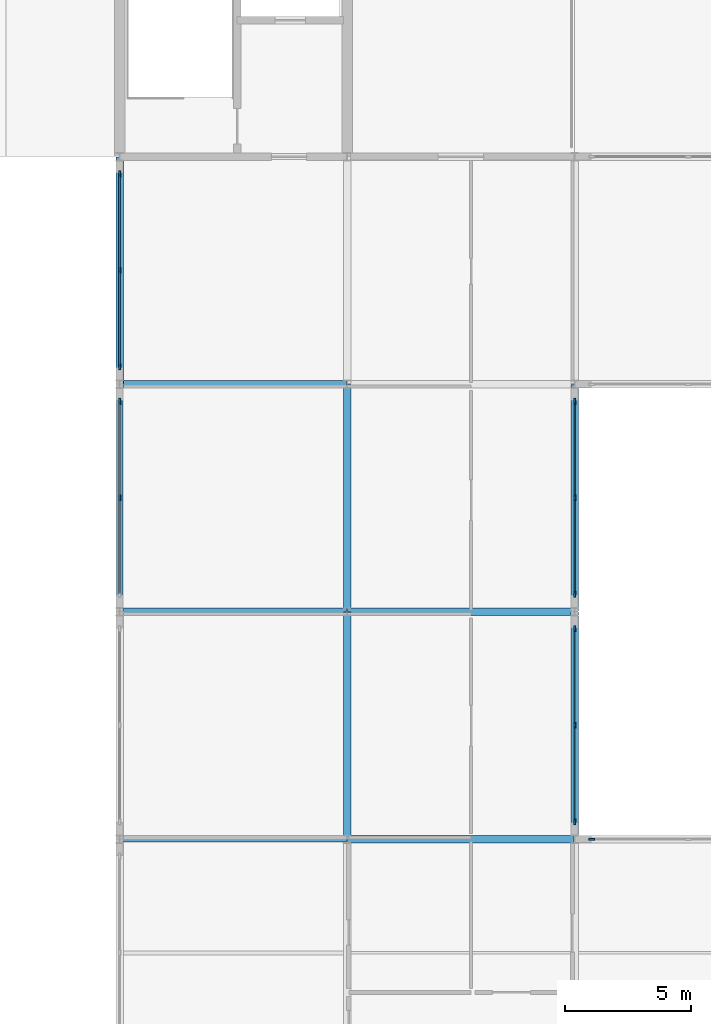
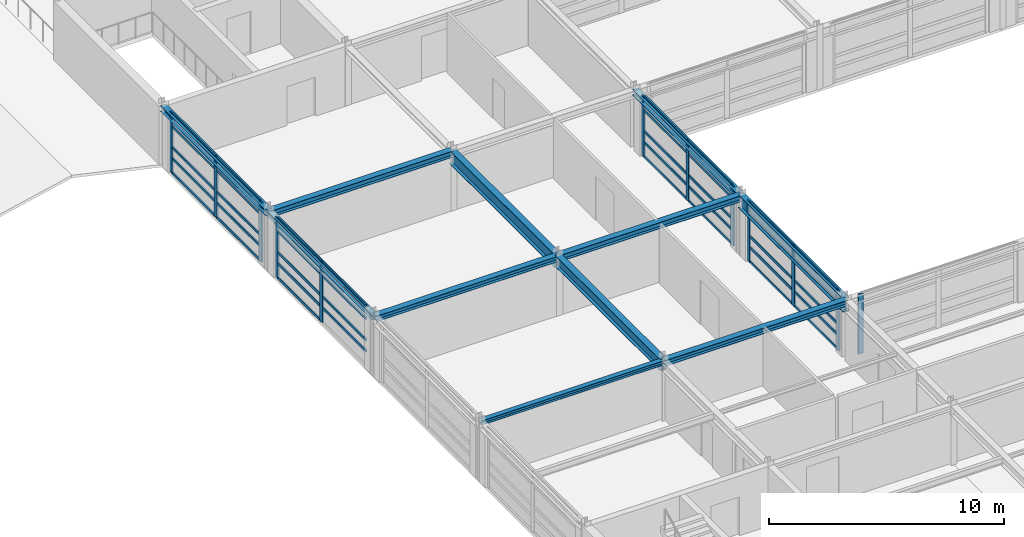
# One storey, part 21 of 91: 51 members, 11 beams, 5 elements without a shape of their own.
"""IFC4 building model written with IfcOpenShell, lengths in metres."""

from ifc_helpers import new_model, si_unit, direction, frame, origin, origin_2d, place, context, subcontext, project, spatial, rectangle, i_section, extrude, material, material_profile, profile_set, type_object, element, aggregate, save


model = new_model("IFC4")

# Units and contexts
model_context = context("Model", 3, precision=1e-05, world=origin(), true_north=direction((0.0, 1.0)))
body_context = subcontext(model_context, "Body", "Model", "MODEL_VIEW")
ifc_project = project(units=[si_unit("LENGTHUNIT", "METRE"), si_unit("AREAUNIT", "SQUARE_METRE"), si_unit("VOLUMEUNIT", "CUBIC_METRE"), si_unit("PLANEANGLEUNIT", "RADIAN"), si_unit("MASSUNIT", "GRAM", prefix="KILO")], contexts=[model_context])

# Site, building, storey
site_placement = place(None, origin())
site = spatial("IfcSite", under=ifc_project, at=site_placement, CompositionType="ELEMENT")
building_placement = place(site_placement, origin())
building = spatial("IfcBuilding", under=site, at=building_placement, Name="Palais des Congres Ocreval", CompositionType="ELEMENT")
storey_placement = place(building_placement, frame((0.0, 0.0, 8.159912109375)))
storey = spatial("IfcBuildingStorey", under=building, at=storey_placement, Name="L02", CompositionType="ELEMENT", Elevation=8.159912109375)

# Curtain wall, members
ifc_material_1 = material(Name="Anodized bronze aluminium and low-E glass", Category="glass")
curtain_wall_type = type_object("IfcCurtainWallType", Name="Unitised Curtain Wall 7900x3120", PredefinedType="USERDEFINED", material=ifc_material_1)
curtain_wall_1_placement = place(storey_placement, origin())
curtain_wall_1 = element("IfcCurtainWall", 1, at=curtain_wall_1_placement, inside=storey, type_object=curtain_wall_type, Name="Unitised Curtain Wall CW03 L02", ObjectType="UNITISED CURTAIN WALL", PredefinedType="USERDEFINED")
ifc_material_2 = material(Name="Anodized bronze aluminium", Category="aluminium")
ifc_material_profile_1 = material_profile(ifc_material_2, rectangle(XDim=0.074951171875, YDim=0.239990234375, at=origin_2d()), Name="ALU 75x240")
ifc_profile_set_1 = profile_set([ifc_material_profile_1], Name="Anodized bronze aluminium")
member_type_1 = type_object("IfcMemberType", Name="Curtain Wall Mullion ALU 75x240", PredefinedType="MULLION", material=ifc_profile_set_1)
member_1_placement = place(storey_placement, frame((108.0, 31.5, 0.0), z_axis=(0.0, 0.0, 1.0), x_axis=(-1.0, 0.0, 0.0)))
member_1 = element("IfcMember", 2, at=member_1_placement, type_object=member_type_1, Name="Curtain Wall Mullion ML01", PredefinedType="MULLION", context=body_context, shape_type="SweptSolid", body=[
    extrude(rectangle(XDim=0.074951171875, YDim=0.239990234375, at=origin_2d()), origin(), (0.0, 0.0, 1.0), 3.110107421875),
])
member_2_placement = place(storey_placement, frame((108.0, 35.3125, 0.0), z_axis=(0.0, 0.0, 1.0), x_axis=(-1.0, 0.0, 0.0)))
member_2 = element("IfcMember", 3, at=member_2_placement, type_object=member_type_1, Name="Curtain Wall Mullion ML01", PredefinedType="MULLION", context=body_context, shape_type="SweptSolid", body=[
    extrude(rectangle(XDim=0.074951171875, YDim=0.239990234375, at=origin_2d()), origin(), (0.0, 0.0, 1.0), 3.110107421875),
])

curtain_wall_2_placement = place(storey_placement, origin())
curtain_wall_2 = element("IfcCurtainWall", 4, at=curtain_wall_2_placement, inside=storey, type_object=curtain_wall_type, Name="Unitised Curtain Wall CW03 L02", ObjectType="UNITISED CURTAIN WALL", PredefinedType="USERDEFINED")
member_3_placement = place(storey_placement, frame((108.0, 36.6875, 0.0), z_axis=(0.0, 0.0, 1.0), x_axis=(-1.0, 0.0, 0.0)))
member_3 = element("IfcMember", 5, at=member_3_placement, type_object=member_type_1, Name="Curtain Wall Mullion ML01", PredefinedType="MULLION", context=body_context, shape_type="SweptSolid", body=[
    extrude(rectangle(XDim=0.074951171875, YDim=0.239990234375, at=origin_2d()), origin(), (0.0, 0.0, 1.0), 3.110107421875),
])
member_4_placement = place(storey_placement, frame((108.0, 40.5, 0.0), z_axis=(0.0, 0.0, 1.0), x_axis=(-1.0, 0.0, 0.0)))
member_4 = element("IfcMember", 6, at=member_4_placement, type_object=member_type_1, Name="Curtain Wall Mullion ML01", PredefinedType="MULLION", context=body_context, shape_type="SweptSolid", body=[
    extrude(rectangle(XDim=0.074951171875, YDim=0.239990234375, at=origin_2d()), origin(), (0.0, 0.0, 1.0), 3.110107421875),
])
member_5_placement = place(storey_placement, frame((108.0, 44.3125, 0.0), z_axis=(0.0, 0.0, 1.0), x_axis=(-1.0, 0.0, 0.0)))
member_5 = element("IfcMember", 7, at=member_5_placement, type_object=member_type_1, Name="Curtain Wall Mullion ML01", PredefinedType="MULLION", context=body_context, shape_type="SweptSolid", body=[
    extrude(rectangle(XDim=0.074951171875, YDim=0.239990234375, at=origin_2d()), origin(), (0.0, 0.0, 1.0), 3.110107421875),
])

curtain_wall_3_placement = place(storey_placement, origin())
curtain_wall_3 = element("IfcCurtainWall", 8, at=curtain_wall_3_placement, inside=storey, type_object=curtain_wall_type, Name="Unitised Curtain Wall CW03 L02", ObjectType="UNITISED CURTAIN WALL", PredefinedType="USERDEFINED")
member_6_placement = place(storey_placement, frame((126.0, 35.3125, 0.0), z_axis=(0.0, 0.0, 1.0), x_axis=(1.0, 0.0, 0.0)))
member_6 = element("IfcMember", 9, at=member_6_placement, type_object=member_type_1, Name="Curtain Wall Mullion ML01", PredefinedType="MULLION", context=body_context, shape_type="SweptSolid", body=[
    extrude(rectangle(XDim=0.074951171875, YDim=0.239990234375, at=origin_2d()), origin(), (0.0, 0.0, 1.0), 3.110107421875),
])
member_7_placement = place(storey_placement, frame((126.0, 31.5, 0.0), z_axis=(0.0, 0.0, 1.0), x_axis=(1.0, 0.0, 0.0)))
member_7 = element("IfcMember", 10, at=member_7_placement, type_object=member_type_1, Name="Curtain Wall Mullion ML01", PredefinedType="MULLION", context=body_context, shape_type="SweptSolid", body=[
    extrude(rectangle(XDim=0.074951171875, YDim=0.239990234375, at=origin_2d()), origin(), (0.0, 0.0, 1.0), 3.110107421875),
])
member_8_placement = place(storey_placement, frame((126.0, 27.6875, 0.0), z_axis=(0.0, 0.0, 1.0), x_axis=(1.0, 0.0, 0.0)))
member_8 = element("IfcMember", 11, at=member_8_placement, type_object=member_type_1, Name="Curtain Wall Mullion ML01", PredefinedType="MULLION", context=body_context, shape_type="SweptSolid", body=[
    extrude(rectangle(XDim=0.074951171875, YDim=0.239990234375, at=origin_2d()), origin(), (0.0, 0.0, 1.0), 3.110107421875),
])

curtain_wall_4_placement = place(storey_placement, origin())
curtain_wall_4 = element("IfcCurtainWall", 12, at=curtain_wall_4_placement, inside=storey, type_object=curtain_wall_type, Name="Unitised Curtain Wall CW03 L02", ObjectType="UNITISED CURTAIN WALL", PredefinedType="USERDEFINED")
member_9_placement = place(storey_placement, frame((126.0, 26.3125, 0.0), z_axis=(0.0, 0.0, 1.0), x_axis=(1.0, 0.0, 0.0)))
member_9 = element("IfcMember", 13, at=member_9_placement, type_object=member_type_1, Name="Curtain Wall Mullion ML01", PredefinedType="MULLION", context=body_context, shape_type="SweptSolid", body=[
    extrude(rectangle(XDim=0.074951171875, YDim=0.239990234375, at=origin_2d()), origin(), (0.0, 0.0, 1.0), 3.110107421875),
])
member_10_placement = place(storey_placement, frame((126.0, 22.5, 0.0), z_axis=(0.0, 0.0, 1.0), x_axis=(1.0, 0.0, 0.0)))
member_10 = element("IfcMember", 14, at=member_10_placement, type_object=member_type_1, Name="Curtain Wall Mullion ML01", PredefinedType="MULLION", context=body_context, shape_type="SweptSolid", body=[
    extrude(rectangle(XDim=0.074951171875, YDim=0.239990234375, at=origin_2d()), origin(), (0.0, 0.0, 1.0), 3.110107421875),
])
member_11_placement = place(storey_placement, frame((126.0, 18.6875, 0.0), z_axis=(0.0, 0.0, 1.0), x_axis=(1.0, 0.0, 0.0)))
member_11 = element("IfcMember", 15, at=member_11_placement, type_object=member_type_1, Name="Curtain Wall Mullion ML01", PredefinedType="MULLION", context=body_context, shape_type="SweptSolid", body=[
    extrude(rectangle(XDim=0.074951171875, YDim=0.239990234375, at=origin_2d()), origin(), (0.0, 0.0, 1.0), 3.110107421875),
])

# Curtain wall, member
curtain_wall_5_placement = place(storey_placement, origin())
curtain_wall_5 = element("IfcCurtainWall", 16, at=curtain_wall_5_placement, inside=storey, type_object=curtain_wall_type, Name="Unitised Curtain Wall CW03 L02", ObjectType="UNITISED CURTAIN WALL", PredefinedType="USERDEFINED")
member_12_placement = place(storey_placement, frame((126.6875, 18.0, 0.0), z_axis=(0.0, 0.0, 1.0), x_axis=(0.0, 1.0, 0.0)))
member_12 = element("IfcMember", 17, at=member_12_placement, type_object=member_type_1, Name="Curtain Wall Mullion ML01", PredefinedType="MULLION", context=body_context, shape_type="SweptSolid", body=[
    extrude(rectangle(XDim=0.074951171875, YDim=0.239990234375, at=origin_2d()), origin(), (0.0, 0.0, 1.0), 3.110107421875),
])
aggregate(curtain_wall_5, [member_12])

# Member
ifc_material_profile_2 = material_profile(ifc_material_2, rectangle(XDim=0.06005859375, YDim=0.14990234375, at=origin_2d()), Name="ALU 60x150")
ifc_profile_set_2 = profile_set([ifc_material_profile_2], Name="Anodized bronze aluminium")
member_type_2 = type_object("IfcMemberType", Name="Curtain Wall Transom ALU 60x150", PredefinedType="USERDEFINED", material=ifc_profile_set_2)
member_13_placement = place(storey_placement, frame((108.0, 27.72509765625, 0.780029296875), z_axis=(0.0, 1.0, 0.0), x_axis=(-1.0, 0.0, 0.0)))
member_13 = element("IfcMember", 18, at=member_13_placement, type_object=member_type_2, Name="Curtain Wall Transom TR01", ObjectType="TRANSOM", PredefinedType="USERDEFINED", context=body_context, shape_type="SweptSolid", body=[
    extrude(rectangle(XDim=0.06005859375, YDim=0.14990234375, at=origin_2d()), origin(), (0.0, 0.0, 1.0), 3.7373046875),
])

member_14_placement = place(storey_placement, frame((108.0, 27.72509765625, 1.35302734375), z_axis=(0.0, 1.0, 0.0), x_axis=(-1.0, 0.0, 0.0)))
member_14 = element("IfcMember", 19, at=member_14_placement, type_object=member_type_2, Name="Curtain Wall Transom TR01", ObjectType="TRANSOM", PredefinedType="USERDEFINED", context=body_context, shape_type="SweptSolid", body=[
    extrude(rectangle(XDim=0.06005859375, YDim=0.14990234375, at=origin_2d()), origin(), (0.0, 0.0, 1.0), 3.7373046875),
])

member_15_placement = place(storey_placement, frame((108.0, 27.72509765625, 2.460205078125), z_axis=(0.0, 1.0, 0.0), x_axis=(-1.0, 0.0, 0.0)))
member_15 = element("IfcMember", 20, at=member_15_placement, type_object=member_type_2, Name="Curtain Wall Transom TR01", ObjectType="TRANSOM", PredefinedType="USERDEFINED", context=body_context, shape_type="SweptSolid", body=[
    extrude(rectangle(XDim=0.06005859375, YDim=0.14990234375, at=origin_2d()), origin(), (0.0, 0.0, 1.0), 3.7373046875),
])

member_16_placement = place(storey_placement, frame((108.0, 27.72509765625, 3.080078125), z_axis=(0.0, 1.0, 0.0), x_axis=(-1.0, 0.0, 0.0)))
member_16 = element("IfcMember", 21, at=member_16_placement, type_object=member_type_2, Name="Curtain Wall Transom TR01", ObjectType="TRANSOM", PredefinedType="USERDEFINED", context=body_context, shape_type="SweptSolid", body=[
    extrude(rectangle(XDim=0.06005859375, YDim=0.14990234375, at=origin_2d()), origin(), (0.0, 0.0, 1.0), 3.7373046875),
])

member_17_placement = place(storey_placement, frame((108.0, 31.53759765625, 0.030029296875), z_axis=(0.0, 1.0, 0.0), x_axis=(-1.0, 0.0, 0.0)))
member_17 = element("IfcMember", 22, at=member_17_placement, type_object=member_type_2, Name="Curtain Wall Transom TR01", ObjectType="TRANSOM", PredefinedType="USERDEFINED", context=body_context, shape_type="SweptSolid", body=[
    extrude(rectangle(XDim=0.06005859375, YDim=0.14990234375, at=origin_2d()), origin(), (0.0, 0.0, 1.0), 3.7373046875),
])

member_18_placement = place(storey_placement, frame((108.0, 31.53759765625, 0.780029296875), z_axis=(0.0, 1.0, 0.0), x_axis=(-1.0, 0.0, 0.0)))
member_18 = element("IfcMember", 23, at=member_18_placement, type_object=member_type_2, Name="Curtain Wall Transom TR01", ObjectType="TRANSOM", PredefinedType="USERDEFINED", context=body_context, shape_type="SweptSolid", body=[
    extrude(rectangle(XDim=0.06005859375, YDim=0.14990234375, at=origin_2d()), origin(), (0.0, 0.0, 1.0), 3.7373046875),
])

member_19_placement = place(storey_placement, frame((108.0, 31.53759765625, 1.35302734375), z_axis=(0.0, 1.0, 0.0), x_axis=(-1.0, 0.0, 0.0)))
member_19 = element("IfcMember", 24, at=member_19_placement, type_object=member_type_2, Name="Curtain Wall Transom TR01", ObjectType="TRANSOM", PredefinedType="USERDEFINED", context=body_context, shape_type="SweptSolid", body=[
    extrude(rectangle(XDim=0.06005859375, YDim=0.14990234375, at=origin_2d()), origin(), (0.0, 0.0, 1.0), 3.7373046875),
])

member_20_placement = place(storey_placement, frame((108.0, 31.53759765625, 2.460205078125), z_axis=(0.0, 1.0, 0.0), x_axis=(-1.0, 0.0, 0.0)))
member_20 = element("IfcMember", 25, at=member_20_placement, type_object=member_type_2, Name="Curtain Wall Transom TR01", ObjectType="TRANSOM", PredefinedType="USERDEFINED", context=body_context, shape_type="SweptSolid", body=[
    extrude(rectangle(XDim=0.06005859375, YDim=0.14990234375, at=origin_2d()), origin(), (0.0, 0.0, 1.0), 3.7373046875),
])

member_21_placement = place(storey_placement, frame((108.0, 31.53759765625, 3.080078125), z_axis=(0.0, 1.0, 0.0), x_axis=(-1.0, 0.0, 0.0)))
member_21 = element("IfcMember", 26, at=member_21_placement, type_object=member_type_2, Name="Curtain Wall Transom TR01", ObjectType="TRANSOM", PredefinedType="USERDEFINED", context=body_context, shape_type="SweptSolid", body=[
    extrude(rectangle(XDim=0.06005859375, YDim=0.14990234375, at=origin_2d()), origin(), (0.0, 0.0, 1.0), 3.7373046875),
])

aggregate(curtain_wall_1, [member_1, member_2, member_13, member_14, member_15, member_16, member_17, member_18, member_19, member_20, member_21])

member_22_placement = place(storey_placement, frame((108.0, 36.72509765625, 0.030029296875), z_axis=(0.0, 1.0, 0.0), x_axis=(-1.0, 0.0, 0.0)))
member_22 = element("IfcMember", 27, at=member_22_placement, type_object=member_type_2, Name="Curtain Wall Transom TR01", ObjectType="TRANSOM", PredefinedType="USERDEFINED", context=body_context, shape_type="SweptSolid", body=[
    extrude(rectangle(XDim=0.06005859375, YDim=0.14990234375, at=origin_2d()), origin(), (0.0, 0.0, 1.0), 3.7373046875),
])

member_23_placement = place(storey_placement, frame((108.0, 36.72509765625, 0.780029296875), z_axis=(0.0, 1.0, 0.0), x_axis=(-1.0, 0.0, 0.0)))
member_23 = element("IfcMember", 28, at=member_23_placement, type_object=member_type_2, Name="Curtain Wall Transom TR01", ObjectType="TRANSOM", PredefinedType="USERDEFINED", context=body_context, shape_type="SweptSolid", body=[
    extrude(rectangle(XDim=0.06005859375, YDim=0.14990234375, at=origin_2d()), origin(), (0.0, 0.0, 1.0), 3.7373046875),
])

member_24_placement = place(storey_placement, frame((108.0, 36.72509765625, 1.35302734375), z_axis=(0.0, 1.0, 0.0), x_axis=(-1.0, 0.0, 0.0)))
member_24 = element("IfcMember", 29, at=member_24_placement, type_object=member_type_2, Name="Curtain Wall Transom TR01", ObjectType="TRANSOM", PredefinedType="USERDEFINED", context=body_context, shape_type="SweptSolid", body=[
    extrude(rectangle(XDim=0.06005859375, YDim=0.14990234375, at=origin_2d()), origin(), (0.0, 0.0, 1.0), 3.7373046875),
])

member_25_placement = place(storey_placement, frame((108.0, 36.72509765625, 2.460205078125), z_axis=(0.0, 1.0, 0.0), x_axis=(-1.0, 0.0, 0.0)))
member_25 = element("IfcMember", 30, at=member_25_placement, type_object=member_type_2, Name="Curtain Wall Transom TR01", ObjectType="TRANSOM", PredefinedType="USERDEFINED", context=body_context, shape_type="SweptSolid", body=[
    extrude(rectangle(XDim=0.06005859375, YDim=0.14990234375, at=origin_2d()), origin(), (0.0, 0.0, 1.0), 3.7373046875),
])

member_26_placement = place(storey_placement, frame((108.0, 36.72509765625, 3.080078125), z_axis=(0.0, 1.0, 0.0), x_axis=(-1.0, 0.0, 0.0)))
member_26 = element("IfcMember", 31, at=member_26_placement, type_object=member_type_2, Name="Curtain Wall Transom TR01", ObjectType="TRANSOM", PredefinedType="USERDEFINED", context=body_context, shape_type="SweptSolid", body=[
    extrude(rectangle(XDim=0.06005859375, YDim=0.14990234375, at=origin_2d()), origin(), (0.0, 0.0, 1.0), 3.7373046875),
])

member_27_placement = place(storey_placement, frame((108.0, 40.53759765625, 0.030029296875), z_axis=(0.0, 1.0, 0.0), x_axis=(-1.0, 0.0, 0.0)))
member_27 = element("IfcMember", 32, at=member_27_placement, type_object=member_type_2, Name="Curtain Wall Transom TR01", ObjectType="TRANSOM", PredefinedType="USERDEFINED", context=body_context, shape_type="SweptSolid", body=[
    extrude(rectangle(XDim=0.06005859375, YDim=0.14990234375, at=origin_2d()), origin(), (0.0, 0.0, 1.0), 3.7373046875),
])

member_28_placement = place(storey_placement, frame((108.0, 40.53759765625, 0.780029296875), z_axis=(0.0, 1.0, 0.0), x_axis=(-1.0, 0.0, 0.0)))
member_28 = element("IfcMember", 33, at=member_28_placement, type_object=member_type_2, Name="Curtain Wall Transom TR01", ObjectType="TRANSOM", PredefinedType="USERDEFINED", context=body_context, shape_type="SweptSolid", body=[
    extrude(rectangle(XDim=0.06005859375, YDim=0.14990234375, at=origin_2d()), origin(), (0.0, 0.0, 1.0), 3.7373046875),
])

member_29_placement = place(storey_placement, frame((108.0, 40.53759765625, 1.35302734375), z_axis=(0.0, 1.0, 0.0), x_axis=(-1.0, 0.0, 0.0)))
member_29 = element("IfcMember", 34, at=member_29_placement, type_object=member_type_2, Name="Curtain Wall Transom TR01", ObjectType="TRANSOM", PredefinedType="USERDEFINED", context=body_context, shape_type="SweptSolid", body=[
    extrude(rectangle(XDim=0.06005859375, YDim=0.14990234375, at=origin_2d()), origin(), (0.0, 0.0, 1.0), 3.7373046875),
])

member_30_placement = place(storey_placement, frame((108.0, 40.53759765625, 2.460205078125), z_axis=(0.0, 1.0, 0.0), x_axis=(-1.0, 0.0, 0.0)))
member_30 = element("IfcMember", 35, at=member_30_placement, type_object=member_type_2, Name="Curtain Wall Transom TR01", ObjectType="TRANSOM", PredefinedType="USERDEFINED", context=body_context, shape_type="SweptSolid", body=[
    extrude(rectangle(XDim=0.06005859375, YDim=0.14990234375, at=origin_2d()), origin(), (0.0, 0.0, 1.0), 3.7373046875),
])

member_31_placement = place(storey_placement, frame((108.0, 40.53759765625, 3.080078125), z_axis=(0.0, 1.0, 0.0), x_axis=(-1.0, 0.0, 0.0)))
member_31 = element("IfcMember", 36, at=member_31_placement, type_object=member_type_2, Name="Curtain Wall Transom TR01", ObjectType="TRANSOM", PredefinedType="USERDEFINED", context=body_context, shape_type="SweptSolid", body=[
    extrude(rectangle(XDim=0.06005859375, YDim=0.14990234375, at=origin_2d()), origin(), (0.0, 0.0, 1.0), 3.7373046875),
])

aggregate(curtain_wall_2, [member_3, member_4, member_5, member_22, member_23, member_24, member_25, member_26, member_27, member_28, member_29, member_30, member_31])

member_32_placement = place(storey_placement, frame((126.0, 35.27490234375, 0.030029296875), z_axis=(0.0, -1.0, 0.0), x_axis=(1.0, 0.0, 0.0)))
member_32 = element("IfcMember", 37, at=member_32_placement, type_object=member_type_2, Name="Curtain Wall Transom TR01", ObjectType="TRANSOM", PredefinedType="USERDEFINED", context=body_context, shape_type="SweptSolid", body=[
    extrude(rectangle(XDim=0.06005859375, YDim=0.14990234375, at=origin_2d()), origin(), (0.0, 0.0, 1.0), 3.7373046875),
])

member_33_placement = place(storey_placement, frame((126.0, 35.27490234375, 0.780029296875), z_axis=(0.0, -1.0, 0.0), x_axis=(1.0, 0.0, 0.0)))
member_33 = element("IfcMember", 38, at=member_33_placement, type_object=member_type_2, Name="Curtain Wall Transom TR01", ObjectType="TRANSOM", PredefinedType="USERDEFINED", context=body_context, shape_type="SweptSolid", body=[
    extrude(rectangle(XDim=0.06005859375, YDim=0.14990234375, at=origin_2d()), origin(), (0.0, 0.0, 1.0), 3.7373046875),
])

member_34_placement = place(storey_placement, frame((126.0, 35.27490234375, 1.35302734375), z_axis=(0.0, -1.0, 0.0), x_axis=(1.0, 0.0, 0.0)))
member_34 = element("IfcMember", 39, at=member_34_placement, type_object=member_type_2, Name="Curtain Wall Transom TR01", ObjectType="TRANSOM", PredefinedType="USERDEFINED", context=body_context, shape_type="SweptSolid", body=[
    extrude(rectangle(XDim=0.06005859375, YDim=0.14990234375, at=origin_2d()), origin(), (0.0, 0.0, 1.0), 3.7373046875),
])

member_35_placement = place(storey_placement, frame((126.0, 35.27490234375, 2.460205078125), z_axis=(0.0, -1.0, 0.0), x_axis=(1.0, 0.0, 0.0)))
member_35 = element("IfcMember", 40, at=member_35_placement, type_object=member_type_2, Name="Curtain Wall Transom TR01", ObjectType="TRANSOM", PredefinedType="USERDEFINED", context=body_context, shape_type="SweptSolid", body=[
    extrude(rectangle(XDim=0.06005859375, YDim=0.14990234375, at=origin_2d()), origin(), (0.0, 0.0, 1.0), 3.7373046875),
])

member_36_placement = place(storey_placement, frame((126.0, 35.27490234375, 3.080078125), z_axis=(0.0, -1.0, 0.0), x_axis=(1.0, 0.0, 0.0)))
member_36 = element("IfcMember", 41, at=member_36_placement, type_object=member_type_2, Name="Curtain Wall Transom TR01", ObjectType="TRANSOM", PredefinedType="USERDEFINED", context=body_context, shape_type="SweptSolid", body=[
    extrude(rectangle(XDim=0.06005859375, YDim=0.14990234375, at=origin_2d()), origin(), (0.0, 0.0, 1.0), 3.7373046875),
])

member_37_placement = place(storey_placement, frame((126.0, 31.46240234375, 0.030029296875), z_axis=(0.0, -1.0, 0.0), x_axis=(1.0, 0.0, 0.0)))
member_37 = element("IfcMember", 42, at=member_37_placement, type_object=member_type_2, Name="Curtain Wall Transom TR01", ObjectType="TRANSOM", PredefinedType="USERDEFINED", context=body_context, shape_type="SweptSolid", body=[
    extrude(rectangle(XDim=0.06005859375, YDim=0.14990234375, at=origin_2d()), origin(), (0.0, 0.0, 1.0), 3.7373046875),
])

member_38_placement = place(storey_placement, frame((126.0, 31.46240234375, 0.780029296875), z_axis=(0.0, -1.0, 0.0), x_axis=(1.0, 0.0, 0.0)))
member_38 = element("IfcMember", 43, at=member_38_placement, type_object=member_type_2, Name="Curtain Wall Transom TR01", ObjectType="TRANSOM", PredefinedType="USERDEFINED", context=body_context, shape_type="SweptSolid", body=[
    extrude(rectangle(XDim=0.06005859375, YDim=0.14990234375, at=origin_2d()), origin(), (0.0, 0.0, 1.0), 3.7373046875),
])

member_39_placement = place(storey_placement, frame((126.0, 31.46240234375, 1.35302734375), z_axis=(0.0, -1.0, 0.0), x_axis=(1.0, 0.0, 0.0)))
member_39 = element("IfcMember", 44, at=member_39_placement, type_object=member_type_2, Name="Curtain Wall Transom TR01", ObjectType="TRANSOM", PredefinedType="USERDEFINED", context=body_context, shape_type="SweptSolid", body=[
    extrude(rectangle(XDim=0.06005859375, YDim=0.14990234375, at=origin_2d()), origin(), (0.0, 0.0, 1.0), 3.7373046875),
])

member_40_placement = place(storey_placement, frame((126.0, 31.46240234375, 2.460205078125), z_axis=(0.0, -1.0, 0.0), x_axis=(1.0, 0.0, 0.0)))
member_40 = element("IfcMember", 45, at=member_40_placement, type_object=member_type_2, Name="Curtain Wall Transom TR01", ObjectType="TRANSOM", PredefinedType="USERDEFINED", context=body_context, shape_type="SweptSolid", body=[
    extrude(rectangle(XDim=0.06005859375, YDim=0.14990234375, at=origin_2d()), origin(), (0.0, 0.0, 1.0), 3.7373046875),
])

member_41_placement = place(storey_placement, frame((126.0, 31.46240234375, 3.080078125), z_axis=(0.0, -1.0, 0.0), x_axis=(1.0, 0.0, 0.0)))
member_41 = element("IfcMember", 46, at=member_41_placement, type_object=member_type_2, Name="Curtain Wall Transom TR01", ObjectType="TRANSOM", PredefinedType="USERDEFINED", context=body_context, shape_type="SweptSolid", body=[
    extrude(rectangle(XDim=0.06005859375, YDim=0.14990234375, at=origin_2d()), origin(), (0.0, 0.0, 1.0), 3.7373046875),
])

aggregate(curtain_wall_3, [member_6, member_7, member_8, member_32, member_33, member_34, member_35, member_36, member_37, member_38, member_39, member_40, member_41])

member_42_placement = place(storey_placement, frame((126.0, 26.27490234375, 0.030029296875), z_axis=(0.0, -1.0, 0.0), x_axis=(1.0, 0.0, 0.0)))
member_42 = element("IfcMember", 47, at=member_42_placement, type_object=member_type_2, Name="Curtain Wall Transom TR01", ObjectType="TRANSOM", PredefinedType="USERDEFINED", context=body_context, shape_type="SweptSolid", body=[
    extrude(rectangle(XDim=0.06005859375, YDim=0.14990234375, at=origin_2d()), origin(), (0.0, 0.0, 1.0), 3.7373046875),
])

member_43_placement = place(storey_placement, frame((126.0, 26.27490234375, 0.780029296875), z_axis=(0.0, -1.0, 0.0), x_axis=(1.0, 0.0, 0.0)))
member_43 = element("IfcMember", 48, at=member_43_placement, type_object=member_type_2, Name="Curtain Wall Transom TR01", ObjectType="TRANSOM", PredefinedType="USERDEFINED", context=body_context, shape_type="SweptSolid", body=[
    extrude(rectangle(XDim=0.06005859375, YDim=0.14990234375, at=origin_2d()), origin(), (0.0, 0.0, 1.0), 3.7373046875),
])

member_44_placement = place(storey_placement, frame((126.0, 26.27490234375, 1.35302734375), z_axis=(0.0, -1.0, 0.0), x_axis=(1.0, 0.0, 0.0)))
member_44 = element("IfcMember", 49, at=member_44_placement, type_object=member_type_2, Name="Curtain Wall Transom TR01", ObjectType="TRANSOM", PredefinedType="USERDEFINED", context=body_context, shape_type="SweptSolid", body=[
    extrude(rectangle(XDim=0.06005859375, YDim=0.14990234375, at=origin_2d()), origin(), (0.0, 0.0, 1.0), 3.7373046875),
])

member_45_placement = place(storey_placement, frame((126.0, 26.27490234375, 2.460205078125), z_axis=(0.0, -1.0, 0.0), x_axis=(1.0, 0.0, 0.0)))
member_45 = element("IfcMember", 50, at=member_45_placement, type_object=member_type_2, Name="Curtain Wall Transom TR01", ObjectType="TRANSOM", PredefinedType="USERDEFINED", context=body_context, shape_type="SweptSolid", body=[
    extrude(rectangle(XDim=0.06005859375, YDim=0.14990234375, at=origin_2d()), origin(), (0.0, 0.0, 1.0), 3.7373046875),
])

member_46_placement = place(storey_placement, frame((126.0, 26.27490234375, 3.080078125), z_axis=(0.0, -1.0, 0.0), x_axis=(1.0, 0.0, 0.0)))
member_46 = element("IfcMember", 51, at=member_46_placement, type_object=member_type_2, Name="Curtain Wall Transom TR01", ObjectType="TRANSOM", PredefinedType="USERDEFINED", context=body_context, shape_type="SweptSolid", body=[
    extrude(rectangle(XDim=0.06005859375, YDim=0.14990234375, at=origin_2d()), origin(), (0.0, 0.0, 1.0), 3.7373046875),
])

member_47_placement = place(storey_placement, frame((126.0, 22.46240234375, 0.030029296875), z_axis=(0.0, -1.0, 0.0), x_axis=(1.0, 0.0, 0.0)))
member_47 = element("IfcMember", 52, at=member_47_placement, type_object=member_type_2, Name="Curtain Wall Transom TR01", ObjectType="TRANSOM", PredefinedType="USERDEFINED", context=body_context, shape_type="SweptSolid", body=[
    extrude(rectangle(XDim=0.06005859375, YDim=0.14990234375, at=origin_2d()), origin(), (0.0, 0.0, 1.0), 3.7373046875),
])

member_48_placement = place(storey_placement, frame((126.0, 22.46240234375, 0.780029296875), z_axis=(0.0, -1.0, 0.0), x_axis=(1.0, 0.0, 0.0)))
member_48 = element("IfcMember", 53, at=member_48_placement, type_object=member_type_2, Name="Curtain Wall Transom TR01", ObjectType="TRANSOM", PredefinedType="USERDEFINED", context=body_context, shape_type="SweptSolid", body=[
    extrude(rectangle(XDim=0.06005859375, YDim=0.14990234375, at=origin_2d()), origin(), (0.0, 0.0, 1.0), 3.7373046875),
])

member_49_placement = place(storey_placement, frame((126.0, 22.46240234375, 1.35302734375), z_axis=(0.0, -1.0, 0.0), x_axis=(1.0, 0.0, 0.0)))
member_49 = element("IfcMember", 54, at=member_49_placement, type_object=member_type_2, Name="Curtain Wall Transom TR01", ObjectType="TRANSOM", PredefinedType="USERDEFINED", context=body_context, shape_type="SweptSolid", body=[
    extrude(rectangle(XDim=0.06005859375, YDim=0.14990234375, at=origin_2d()), origin(), (0.0, 0.0, 1.0), 3.7373046875),
])

member_50_placement = place(storey_placement, frame((126.0, 22.46240234375, 2.460205078125), z_axis=(0.0, -1.0, 0.0), x_axis=(1.0, 0.0, 0.0)))
member_50 = element("IfcMember", 55, at=member_50_placement, type_object=member_type_2, Name="Curtain Wall Transom TR01", ObjectType="TRANSOM", PredefinedType="USERDEFINED", context=body_context, shape_type="SweptSolid", body=[
    extrude(rectangle(XDim=0.06005859375, YDim=0.14990234375, at=origin_2d()), origin(), (0.0, 0.0, 1.0), 3.7373046875),
])

member_51_placement = place(storey_placement, frame((126.0, 22.46240234375, 3.080078125), z_axis=(0.0, -1.0, 0.0), x_axis=(1.0, 0.0, 0.0)))
member_51 = element("IfcMember", 56, at=member_51_placement, type_object=member_type_2, Name="Curtain Wall Transom TR01", ObjectType="TRANSOM", PredefinedType="USERDEFINED", context=body_context, shape_type="SweptSolid", body=[
    extrude(rectangle(XDim=0.06005859375, YDim=0.14990234375, at=origin_2d()), origin(), (0.0, 0.0, 1.0), 3.7373046875),
])

aggregate(curtain_wall_4, [member_9, member_10, member_11, member_42, member_43, member_44, member_45, member_46, member_47, member_48, member_49, member_50, member_51])

# Beams
ifc_material_3 = material(Name="Steel S355", Category="steel")
ifc_material_profile_3 = material_profile(ifc_material_3, i_section(OverallWidth=0.260009765625, OverallDepth=0.260009765625, WebThickness=0.010009765625, FlangeThickness=0.017578125, at=origin_2d()), Name="HEB 260")
ifc_profile_set_3 = profile_set([ifc_material_profile_3], Name="Steel S355")
beam_type_1 = type_object("IfcBeamType", Name="Opening Lintel HEB 260 Steel S355", PredefinedType="LINTEL", material=ifc_profile_set_3)
beam_1_placement = place(storey_placement, frame((108.0, 27.02001953125, 2.969970703125), z_axis=(0.0, 1.0, 0.0), x_axis=(-1.0, 0.0, 0.0)))
element("IfcBeam", 57, at=beam_1_placement, inside=storey, type_object=beam_type_1, Name="Girder LN01 L02", PredefinedType="LINTEL", context=body_context, shape_type="SweptSolid", body=[
    extrude(i_section(OverallWidth=0.260009765625, OverallDepth=0.260009765625, WebThickness=0.010009765625, FlangeThickness=0.017578125, at=origin_2d()), origin(), (0.0, 0.0, 1.0), 8.9599609375),
])
ifc_material_profile_4 = material_profile(ifc_material_3, i_section(OverallWidth=0.239990234375, OverallDepth=0.22998046875, WebThickness=0.007568359375, FlangeThickness=0.011962890625, at=origin_2d()), Name="HEA 240")
ifc_profile_set_4 = profile_set([ifc_material_profile_4], Name="Steel S355")
beam_type_2 = type_object("IfcBeamType", Name="Perimeter Spandrel HEA 240 Steel S355", PredefinedType="SPANDREL", material=ifc_profile_set_4)
beam_2_placement = place(storey_placement, frame((108.02001953125, 18.0, 2.985107421875), z_axis=(1.0, 0.0, 0.0), x_axis=(0.0, 1.0, 0.0)))
element("IfcBeam", 58, at=beam_2_placement, inside=storey, type_object=beam_type_2, Name="Beam SP01 L02", PredefinedType="SPANDREL", context=body_context, shape_type="SweptSolid", body=[
    extrude(i_section(OverallWidth=0.239990234375, OverallDepth=0.22998046875, WebThickness=0.007568359375, FlangeThickness=0.011962890625, at=origin_2d()), origin(), (0.0, 0.0, 1.0), 8.9599609375),
])
ifc_material_profile_5 = material_profile(ifc_material_3, i_section(OverallWidth=0.300048828125, OverallDepth=0.300048828125, WebThickness=0.010986328125, FlangeThickness=0.01904296875, at=origin_2d()), Name="HEB 300")
ifc_profile_set_5 = profile_set([ifc_material_profile_5], Name="Steel S355")
beam_type_3 = type_object("IfcBeamType", Name="Perimeter Spandrel HEB 300 Steel S355", PredefinedType="SPANDREL", material=ifc_profile_set_5)
for number, where, z_axis, x_axis, name in (
    (59, (108.0, 36.02001953125, 2.9501953125), (0.0, 1.0, 0.0), (-1.0, 0.0, 0.0), "Girder SP02 L02"),
    (60, (117.02001953125, 18.0, 2.9501953125), (1.0, 0.0, 0.0), (0.0, 1.0, 0.0), "Beam SP02 L02"),
):
    element("IfcBeam", number, at=place(storey_placement, frame(where, z_axis=z_axis, x_axis=x_axis)), inside=storey, type_object=beam_type_3, Name=name, PredefinedType="SPANDREL", context=body_context, shape_type="SweptSolid", body=[
        extrude(i_section(OverallWidth=0.300048828125, OverallDepth=0.300048828125, WebThickness=0.010986328125, FlangeThickness=0.01904296875, at=origin_2d()), origin(), (0.0, 0.0, 1.0), 8.9599609375),
    ])
ifc_material_profile_6 = material_profile(ifc_material_3, i_section(OverallWidth=0.300048828125, OverallDepth=0.2900390625, WebThickness=0.008544921875, FlangeThickness=0.013916015625, at=origin_2d()), Name="HEA 300")
ifc_profile_set_6 = profile_set([ifc_material_profile_6], Name="Steel S355")
beam_type_4 = type_object("IfcBeamType", Name="Primary Beam HEA 300 Steel S355", PredefinedType="BEAM", material=ifc_profile_set_6)
for number, where, z_axis, x_axis, name in (
    (61, (108.02001953125, 27.0, 2.955078125), (1.0, 0.0, 0.0), (0.0, 1.0, 0.0), "Beam B08 L02"),
    (62, (126.0, 27.02001953125, 2.955078125), (0.0, 1.0, 0.0), (-1.0, 0.0, 0.0), "Girder B08 L02"),
):
    element("IfcBeam", number, at=place(storey_placement, frame(where, z_axis=z_axis, x_axis=x_axis)), inside=storey, type_object=beam_type_4, Name=name, PredefinedType="BEAM", context=body_context, shape_type="SweptSolid", body=[
        extrude(i_section(OverallWidth=0.300048828125, OverallDepth=0.2900390625, WebThickness=0.008544921875, FlangeThickness=0.013916015625, at=origin_2d()), origin(), (0.0, 0.0, 1.0), 8.9599609375),
    ])
ifc_material_profile_7 = material_profile(ifc_material_3, i_section(OverallWidth=0.300048828125, OverallDepth=0.330078125, WebThickness=0.009521484375, FlangeThickness=0.0166015625, at=origin_2d()), Name="HEA 340")
ifc_profile_set_7 = profile_set([ifc_material_profile_7], Name="Steel S355")
beam_type_5 = type_object("IfcBeamType", Name="Primary Beam HEA 340 Steel S355", PredefinedType="BEAM", material=ifc_profile_set_7)
for number, where, z_axis, x_axis, name in (
    (63, (108.02001953125, 36.0, 2.93505859375), (1.0, 0.0, 0.0), (0.0, 1.0, 0.0), "Beam B09 L02"),
    (64, (117.02001953125, 27.0, 2.93505859375), (1.0, 0.0, 0.0), (0.0, 1.0, 0.0), "Beam B09 L02"),
):
    element("IfcBeam", number, at=place(storey_placement, frame(where, z_axis=z_axis, x_axis=x_axis)), inside=storey, type_object=beam_type_5, Name=name, PredefinedType="BEAM", context=body_context, shape_type="SweptSolid", body=[
        extrude(i_section(OverallWidth=0.300048828125, OverallDepth=0.330078125, WebThickness=0.009521484375, FlangeThickness=0.0166015625, at=origin_2d()), origin(), (0.0, 0.0, 1.0), 8.9599609375),
    ])
ifc_material_profile_8 = material_profile(ifc_material_3, i_section(OverallWidth=0.300048828125, OverallDepth=0.590087890625, WebThickness=0.012939453125, FlangeThickness=0.02490234375, at=origin_2d()), Name="HEA 600")
ifc_profile_set_8 = profile_set([ifc_material_profile_8], Name="Steel S355")
beam_type_6 = type_object("IfcBeamType", Name="Primary Girder HEA 600 Steel S355", PredefinedType="BEAM", material=ifc_profile_set_8)
beam_3_placement = place(storey_placement, frame((117.0, 18.02001953125, 2.80517578125), z_axis=(0.0, 1.0, 0.0), x_axis=(-1.0, 0.0, 0.0)))
element("IfcBeam", 65, at=beam_3_placement, inside=storey, type_object=beam_type_6, Name="Girder B13 L02", PredefinedType="BEAM", context=body_context, shape_type="SweptSolid", body=[
    extrude(i_section(OverallWidth=0.300048828125, OverallDepth=0.590087890625, WebThickness=0.012939453125, FlangeThickness=0.02490234375, at=origin_2d()), origin(), (0.0, 0.0, 1.0), 8.9599609375),
])
ifc_material_profile_9 = material_profile(ifc_material_3, i_section(OverallWidth=0.300048828125, OverallDepth=0.68994140625, WebThickness=0.014404296875, FlangeThickness=0.027099609375, at=origin_2d()), Name="HEA 700")
ifc_profile_set_9 = profile_set([ifc_material_profile_9], Name="Steel S355")
beam_type_7 = type_object("IfcBeamType", Name="Primary Girder HEA 700 Steel S355", PredefinedType="BEAM", material=ifc_profile_set_9)
for number, where, z_axis, x_axis, name in (
    (66, (117.0, 27.02001953125, 2.755126953125), (0.0, 1.0, 0.0), (-1.0, 0.0, 0.0), "Girder B14 L02"),
    (67, (126.0, 18.02001953125, 2.755126953125), (0.0, 1.0, 0.0), (-1.0, 0.0, 0.0), "Girder B14 L02"),
):
    element("IfcBeam", number, at=place(storey_placement, frame(where, z_axis=z_axis, x_axis=x_axis)), inside=storey, type_object=beam_type_7, Name=name, PredefinedType="BEAM", context=body_context, shape_type="SweptSolid", body=[
        extrude(i_section(OverallWidth=0.300048828125, OverallDepth=0.68994140625, WebThickness=0.014404296875, FlangeThickness=0.027099609375, at=origin_2d()), origin(), (0.0, 0.0, 1.0), 8.9599609375),
    ])

save(model, "model.ifc")
